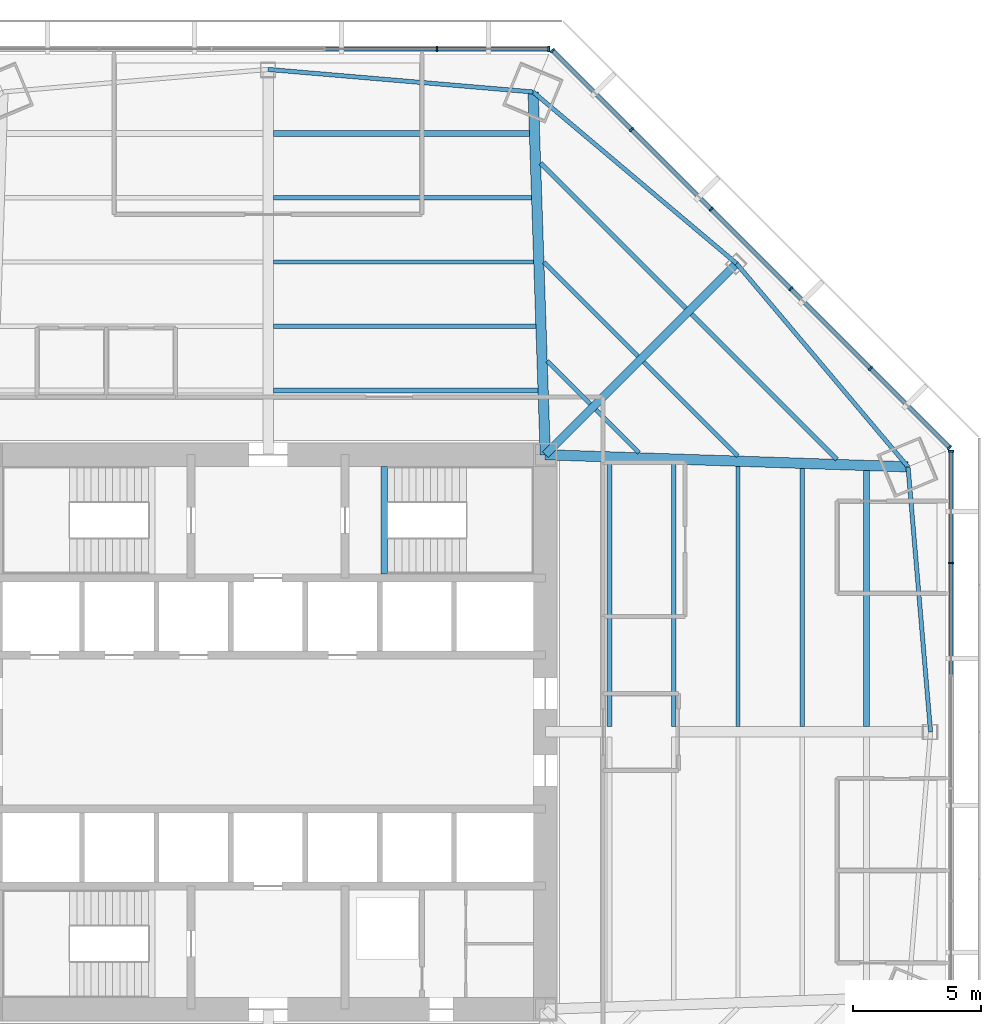
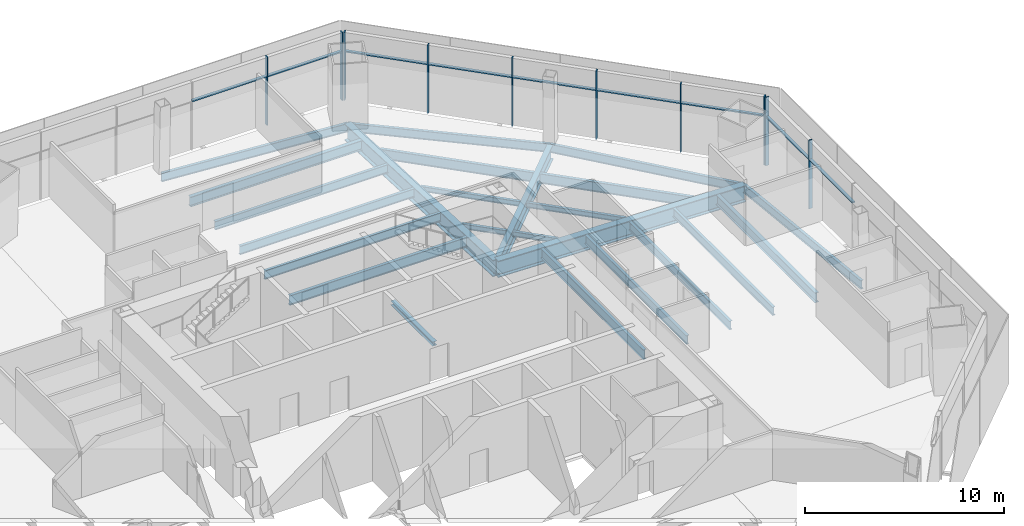
# One storey, part 5 of 13: 24 beams, 19 members, 3 elements without a shape of their own.
"""IFC4 building model written with IfcOpenShell, lengths in metres."""

from ifc_helpers import new_model, si_unit, direction, frame, origin, origin_2d, place, context, subcontext, project, spatial, rectangle, i_section, extrude, source, transform, mapped, material, material_profile, profile_set, type_object, type_shapes, element, aggregate, save


model = new_model("IFC4")

# Units and contexts
model_context = context("Model", 3, precision=1e-05, world=origin(), true_north=direction((0.0, 1.0)))
body_context = subcontext(model_context, "Body", "Model", "MODEL_VIEW")
ifc_project = project(units=[si_unit("LENGTHUNIT", "METRE"), si_unit("AREAUNIT", "SQUARE_METRE"), si_unit("VOLUMEUNIT", "CUBIC_METRE"), si_unit("PLANEANGLEUNIT", "RADIAN"), si_unit("MASSUNIT", "GRAM", prefix="KILO")], contexts=[model_context])

# Site, building, storey
site_placement = place(None, origin())
site = spatial("IfcSite", under=ifc_project, at=site_placement, CompositionType="ELEMENT")
building_placement = place(site_placement, origin())
building = spatial("IfcBuilding", under=site, at=building_placement, Name="Mashrafa Tower", CompositionType="ELEMENT")
storey_placement = place(building_placement, frame((0.0, 0.0, 49.800048828125)))
storey = spatial("IfcBuildingStorey", under=building, at=storey_placement, Name="L10", CompositionType="ELEMENT", Elevation=49.800048828125)

# Beams
ifc_material_1 = material(Name="Steel ASTM A992", Category="steel")
ifc_material_profile_1 = material_profile(ifc_material_1, i_section(OverallWidth=0.164794921875, OverallDepth=0.309814453125, WebThickness=0.005859375, FlangeThickness=0.009765625, FilletRadius=0.007568359375, at=origin_2d()), Name="W12X26")
ifc_profile_set_1 = profile_set([ifc_material_profile_1], Name="Steel ASTM A992")
beam_type_1 = type_object("IfcBeamType", Name="Beam W12X26", PredefinedType="BEAM", material=ifc_profile_set_1)
beam_1_placement = place(storey_placement, frame((10.75, 18.301025390625, -0.320068359375), z_axis=(0.707106781187, -0.707106781187, 0.0), x_axis=(0.707106781187, 0.707106781187, 0.0)))
element("IfcBeam", 1, at=beam_1_placement, inside=storey, type_object=beam_type_1, Name="Floor beam L10 041", PredefinedType="BEAM", context=body_context, shape_type="SweptSolid", body=[
    extrude(i_section(OverallWidth=0.164794921875, OverallDepth=0.309814453125, WebThickness=0.005859375, FlangeThickness=0.009765625, FilletRadius=0.007568359375, at=origin_2d()), origin(), (0.0, 0.0, 1.0), 5.185546875),
])
for number, where, z_axis, x_axis, name in (
    (2, (10.87890625, 14.44677734375, -0.320068359375), (0.707055252181, -0.707158306437, 0.0), (0.707158306437, 0.707055252181, 0.0), "Floor beam L10 044"),
    (3, (12.771484375, 12.553955078125, -0.320068359375), (0.707158306437, -0.707055252181, 0.0), (0.707055252181, 0.707158306437, 0.0), "Floor beam L10 047"),
):
    element("IfcBeam", number, at=place(storey_placement, frame(where, z_axis=z_axis, x_axis=x_axis)), inside=storey, type_object=beam_type_1, Name=name, PredefinedType="BEAM", context=body_context, shape_type="SweptSolid", body=[
        extrude(i_section(OverallWidth=0.164794921875, OverallDepth=0.309814453125, WebThickness=0.005859375, FlangeThickness=0.009765625, FilletRadius=0.007568359375, at=origin_2d()), origin(), (0.0, 0.0, 1.0), 2.369140625),
    ])
beam_2_placement = place(storey_placement, frame((14.63427734375, 14.416748046875, -0.320068359375), z_axis=(0.707106781187, -0.707106781187, 0.0), x_axis=(0.707106781187, 0.707106781187, 0.0)))
element("IfcBeam", 4, at=beam_2_placement, inside=storey, type_object=beam_type_1, Name="Floor beam L10 051", PredefinedType="BEAM", context=body_context, shape_type="SweptSolid", body=[
    extrude(i_section(OverallWidth=0.164794921875, OverallDepth=0.309814453125, WebThickness=0.005859375, FlangeThickness=0.009765625, FilletRadius=0.007568359375, at=origin_2d()), origin(), (0.0, 0.0, 1.0), 5.185546875),
])
ifc_material_2 = material(Name="Steel ASTM A992", Category="steel")
ifc_material_profile_2 = material_profile(ifc_material_2, i_section(OverallWidth=0.1650390625, OverallDepth=0.52587890625, WebThickness=0.0087890625, FlangeThickness=0.011474609375, FilletRadius=0.0126953125, at=origin_2d()), Name="W21X44")
ifc_profile_set_2 = profile_set([ifc_material_profile_2], Name="Steel ASTM A992")
beam_type_2 = type_object("IfcBeamType", Name="Beam W21X44", PredefinedType="BEAM", material=ifc_profile_set_2)
beam_3_placement = place(storey_placement, frame((0.20458984375, 18.305419921875, -0.427978515625), z_axis=(1.0, 0.0, 0.0), x_axis=(0.0, 1.0, 0.0)))
element("IfcBeam", 5, at=beam_3_placement, inside=storey, type_object=beam_type_2, Name="Floor beam L10 035", PredefinedType="BEAM", context=body_context, shape_type="SweptSolid", body=[
    extrude(i_section(OverallWidth=0.1650390625, OverallDepth=0.52587890625, WebThickness=0.0087890625, FlangeThickness=0.011474609375, FilletRadius=0.0126953125, at=origin_2d()), origin(), (0.0, 0.0, 1.0), 10.1435546875),
])
beam_4_placement = place(storey_placement, frame((0.20458984375, 20.80712890625, -0.427978515625), z_axis=(1.0, 0.0, 0.0), x_axis=(0.0, 1.0, 0.0)))
element("IfcBeam", 6, at=beam_4_placement, inside=storey, type_object=beam_type_2, Name="Floor beam L10 036", PredefinedType="BEAM", context=body_context, shape_type="SweptSolid", body=[
    extrude(i_section(OverallWidth=0.1650390625, OverallDepth=0.52587890625, WebThickness=0.0087890625, FlangeThickness=0.011474609375, FilletRadius=0.0126953125, at=origin_2d()), origin(), (0.0, 0.0, 1.0), 10.059814453125),
])
beam_5_placement = place(storey_placement, frame((18.305419921875, 10.34814453125, -0.427978515625), z_axis=(0.0, -1.0, 0.0), x_axis=(1.0, 0.0, 0.0)))
element("IfcBeam", 7, at=beam_5_placement, inside=storey, type_object=beam_type_2, Name="Floor beam L10 058", PredefinedType="BEAM", context=body_context, shape_type="SweptSolid", body=[
    extrude(i_section(OverallWidth=0.1650390625, OverallDepth=0.52587890625, WebThickness=0.0087890625, FlangeThickness=0.011474609375, FilletRadius=0.0126953125, at=origin_2d()), origin(), (0.0, 0.0, 1.0), 10.1435546875),
])
beam_6_placement = place(storey_placement, frame((20.80712890625, 10.264404296875, -0.427978515625), z_axis=(0.0, -1.0, 0.0), x_axis=(1.0, 0.0, 0.0)))
element("IfcBeam", 8, at=beam_6_placement, inside=storey, type_object=beam_type_2, Name="Floor beam L10 061", PredefinedType="BEAM", context=body_context, shape_type="SweptSolid", body=[
    extrude(i_section(OverallWidth=0.1650390625, OverallDepth=0.52587890625, WebThickness=0.0087890625, FlangeThickness=0.011474609375, FilletRadius=0.0126953125, at=origin_2d()), origin(), (0.0, 0.0, 1.0), 10.059814453125),
])
ifc_material_3 = material(Name="Steel ASTM A992", Category="steel")
ifc_material_profile_3 = material_profile(ifc_material_3, i_section(OverallWidth=0.165771484375, OverallDepth=0.5283203125, WebThickness=0.009765625, FlangeThickness=0.013671875, FilletRadius=0.012939453125, at=origin_2d()), Name="W21X50")
ifc_profile_set_3 = profile_set([ifc_material_profile_3], Name="Steel ASTM A992")
beam_type_3 = type_object("IfcBeamType", Name="Beam W21X50", PredefinedType="BEAM", material=ifc_profile_set_3)
for number, where, z_axis, x_axis, name in (
    (9, (0.20458984375, 15.803466796875, -0.42919921875), (1.0, 0.0, 0.0), (0.0, 1.0, 0.0), "Floor beam L10 034"),
    (10, (15.803466796875, 10.431884765625, -0.42919921875), (0.0, -1.0, 0.0), (1.0, 0.0, 0.0), "Floor beam L10 054"),
):
    element("IfcBeam", number, at=place(storey_placement, frame(where, z_axis=z_axis, x_axis=x_axis)), inside=storey, type_object=beam_type_3, Name=name, PredefinedType="BEAM", context=body_context, shape_type="SweptSolid", body=[
        extrude(i_section(OverallWidth=0.165771484375, OverallDepth=0.5283203125, WebThickness=0.009765625, FlangeThickness=0.013671875, FilletRadius=0.012939453125, at=origin_2d()), origin(), (0.0, 0.0, 1.0), 10.227294921875),
    ])
beam_7_placement = place(storey_placement, frame((10.327392578125, 24.932373046875, -0.42919921875), z_axis=(-0.996404144799, 0.08472768277, 0.0), x_axis=(-0.08472768277, -0.996404144799, 0.0)))
element("IfcBeam", 11, at=beam_7_placement, inside=storey, type_object=beam_type_3, Name="Spandrel beam L10 091", PredefinedType="BEAM", context=body_context, shape_type="SweptSolid", body=[
    extrude(i_section(OverallWidth=0.165771484375, OverallDepth=0.5283203125, WebThickness=0.009765625, FlangeThickness=0.013671875, FilletRadius=0.012939453125, at=origin_2d()), origin(), (0.0, 0.0, 1.0), 10.36474609375),
])
for number, where, z_axis, x_axis, name in (
    (12, (18.2509765625, 18.2509765625, -0.42919921875), (-0.764487724476, 0.644638285495, 0.0), (-0.644638285495, -0.764487724476, 0.0), "Spandrel beam L10 093"),
    (13, (24.932373046875, 10.327392578125, -0.42919921875), (-0.644638285495, 0.764487724476, 0.0), (-0.764487724476, -0.644638285495, 0.0), "Spandrel beam L10 095"),
):
    element("IfcBeam", number, at=place(storey_placement, frame(where, z_axis=z_axis, x_axis=x_axis)), inside=storey, type_object=beam_type_3, Name=name, PredefinedType="BEAM", context=body_context, shape_type="SweptSolid", body=[
        extrude(i_section(OverallWidth=0.165771484375, OverallDepth=0.5283203125, WebThickness=0.009765625, FlangeThickness=0.013671875, FilletRadius=0.012939453125, at=origin_2d()), origin(), (0.0, 0.0, 1.0), 10.364501953125),
    ])
beam_8_placement = place(storey_placement, frame((25.810546875, 0.0, -0.42919921875), z_axis=(-0.08472768277, 0.996404144799, 0.0), x_axis=(-0.996404144799, -0.08472768277, 0.0)))
element("IfcBeam", 14, at=beam_8_placement, inside=storey, type_object=beam_type_3, Name="Spandrel beam L10 096", PredefinedType="BEAM", context=body_context, shape_type="SweptSolid", body=[
    extrude(i_section(OverallWidth=0.165771484375, OverallDepth=0.5283203125, WebThickness=0.009765625, FlangeThickness=0.013671875, FilletRadius=0.012939453125, at=origin_2d()), origin(), (0.0, 0.0, 1.0), 10.36474609375),
])
ifc_material_4 = material(Name="Steel ASTM A992", Category="steel")
ifc_material_profile_4 = material_profile(ifc_material_4, i_section(OverallWidth=0.177978515625, OverallDepth=0.599365234375, WebThickness=0.010009765625, FlangeThickness=0.012939453125, FilletRadius=0.012939453125, at=origin_2d()), Name="W24X55")
ifc_profile_set_4 = profile_set([ifc_material_profile_4], Name="Steel ASTM A992")
beam_type_4 = type_object("IfcBeamType", Name="Beam W24X55", PredefinedType="BEAM", material=ifc_profile_set_4)
beam_9_placement = place(storey_placement, frame((0.20458984375, 13.3017578125, -0.46484375), z_axis=(1.0, 0.0, 0.0), x_axis=(0.0, 1.0, 0.0)))
element("IfcBeam", 15, at=beam_9_placement, inside=storey, type_object=beam_type_4, Name="Floor beam L10 033", PredefinedType="BEAM", context=body_context, shape_type="SweptSolid", body=[
    extrude(i_section(OverallWidth=0.177978515625, OverallDepth=0.599365234375, WebThickness=0.010009765625, FlangeThickness=0.012939453125, FilletRadius=0.012939453125, at=origin_2d()), origin(), (0.0, 0.0, 1.0), 10.310791015625),
])
beam_10_placement = place(storey_placement, frame((10.620849609375, 22.155517578125, -0.46484375), z_axis=(0.707106781187, -0.707106781187, 0.0), x_axis=(0.707106781187, 0.707106781187, 0.0)))
element("IfcBeam", 16, at=beam_10_placement, inside=storey, type_object=beam_type_4, Name="Floor beam L10 039", PredefinedType="BEAM", context=body_context, shape_type="SweptSolid", body=[
    extrude(i_section(OverallWidth=0.177978515625, OverallDepth=0.599365234375, WebThickness=0.010009765625, FlangeThickness=0.012939453125, FilletRadius=0.012939453125, at=origin_2d()), origin(), (0.0, 0.0, 1.0), 8.002685546875),
])
beam_11_placement = place(storey_placement, frame((13.3017578125, 10.515380859375, -0.46484375), z_axis=(0.0, -1.0, 0.0), x_axis=(1.0, 0.0, 0.0)))
element("IfcBeam", 17, at=beam_11_placement, inside=storey, type_object=beam_type_4, Name="Floor beam L10 049", PredefinedType="BEAM", context=body_context, shape_type="SweptSolid", body=[
    extrude(i_section(OverallWidth=0.177978515625, OverallDepth=0.599365234375, WebThickness=0.010009765625, FlangeThickness=0.012939453125, FilletRadius=0.012939453125, at=origin_2d()), origin(), (0.0, 0.0, 1.0), 10.310791015625),
])
beam_12_placement = place(storey_placement, frame((16.496826171875, 16.279541015625, -0.46484375), z_axis=(0.707106781187, -0.707106781187, 0.0), x_axis=(0.707106781187, 0.707106781187, 0.0)))
element("IfcBeam", 18, at=beam_12_placement, inside=storey, type_object=beam_type_4, Name="Floor beam L10 056", PredefinedType="BEAM", context=body_context, shape_type="SweptSolid", body=[
    extrude(i_section(OverallWidth=0.177978515625, OverallDepth=0.599365234375, WebThickness=0.010009765625, FlangeThickness=0.012939453125, FilletRadius=0.012939453125, at=origin_2d()), origin(), (0.0, 0.0, 1.0), 8.002685546875),
])
ifc_material_5 = material(Name="Steel ASTM A992", Category="steel")
ifc_material_profile_5 = material_profile(ifc_material_5, i_section(OverallWidth=0.227783203125, OverallDepth=0.60205078125, WebThickness=0.010498046875, FlangeThickness=0.014892578125, FilletRadius=0.012939453125, at=origin_2d()), Name="W24X68")
ifc_profile_set_5 = profile_set([ifc_material_profile_5], Name="Steel ASTM A992")
beam_type_5 = type_object("IfcBeamType", Name="Beam W24X68", PredefinedType="BEAM", material=ifc_profile_set_5)
for number, where, z_axis, x_axis, name in (
    (19, (0.20458984375, 23.308837890625, -0.466064453125), (1.0, 0.0, 0.0), (0.0, 1.0, 0.0), "Floor beam L10 037"),
    (20, (23.308837890625, 10.180908203125, -0.466064453125), (0.0, -1.0, 0.0), (1.0, 0.0, 0.0), "Floor beam L10 064"),
):
    element("IfcBeam", number, at=place(storey_placement, frame(where, z_axis=z_axis, x_axis=x_axis)), inside=storey, type_object=beam_type_5, Name=name, PredefinedType="BEAM", context=body_context, shape_type="SweptSolid", body=[
        extrude(i_section(OverallWidth=0.227783203125, OverallDepth=0.60205078125, WebThickness=0.010498046875, FlangeThickness=0.014892578125, FilletRadius=0.012939453125, at=origin_2d()), origin(), (0.0, 0.0, 1.0), 9.976318359375),
    ])
ifc_material_6 = material(Name="Steel ASTM A992", Category="steel")
ifc_material_profile_6 = material_profile(ifc_material_6, i_section(OverallWidth=0.307373046875, OverallDepth=0.927001953125, WebThickness=0.01953125, FlangeThickness=0.031982421875, FilletRadius=0.01904296875, at=origin_2d()), Name="W36X194")
ifc_profile_set_6 = profile_set([ifc_material_profile_6], Name="Steel ASTM A992")
beam_type_6 = type_object("IfcBeamType", Name="Beam W36X194", PredefinedType="BEAM", material=ifc_profile_set_6)
beam_13_placement = place(storey_placement, frame((10.800048828125, 10.800048828125, -0.628662109375), z_axis=(0.707106781187, 0.707106781187, 0.0), x_axis=(-0.707106781187, 0.707106781187, 0.0)))
element("IfcBeam", 21, at=beam_13_placement, inside=storey, type_object=beam_type_6, Name="Radial girder L10 079", PredefinedType="BEAM", context=body_context, shape_type="SweptSolid", body=[
    extrude(i_section(OverallWidth=0.307373046875, OverallDepth=0.927001953125, WebThickness=0.01953125, FlangeThickness=0.031982421875, FilletRadius=0.01904296875, at=origin_2d()), origin(), (0.0, 0.0, 1.0), 10.537109375),
])
ifc_material_7 = material(Name="Steel ASTM A992", Category="steel")
ifc_material_profile_7 = material_profile(ifc_material_7, i_section(OverallWidth=0.4013671875, OverallDepth=1.010986328125, WebThickness=0.023681640625, FlangeThickness=0.0419921875, FilletRadius=0.02001953125, at=origin_2d()), Name="W40X297")
ifc_profile_set_7 = profile_set([ifc_material_profile_7], Name="Steel ASTM A992")
beam_type_7 = type_object("IfcBeamType", Name="Beam W40X297", PredefinedType="BEAM", material=ifc_profile_set_7)
for number, where, z_axis, x_axis, name in (
    (22, (10.800048828125, 10.800048828125, -0.67041015625), (-0.033426357507, 0.999441183174, 0.0), (-0.999441183174, -0.033426357507, 0.0), "Radial girder L10 078"),
    (23, (10.800048828125, 10.800048828125, -0.67041015625), (0.999441183174, -0.033426357507, 0.0), (0.033426357507, 0.999441183174, 0.0), "Radial girder L10 080"),
):
    element("IfcBeam", number, at=place(storey_placement, frame(where, z_axis=z_axis, x_axis=x_axis)), inside=storey, type_object=beam_type_7, Name=name, PredefinedType="BEAM", context=body_context, shape_type="SweptSolid", body=[
        extrude(i_section(OverallWidth=0.4013671875, OverallDepth=1.010986328125, WebThickness=0.023681640625, FlangeThickness=0.0419921875, FilletRadius=0.02001953125, at=origin_2d()), origin(), (0.0, 0.0, 1.0), 14.14013671875),
    ])
ifc_material_8 = material(Name="Steel ASTM A992", Category="steel")
ifc_material_profile_8 = material_profile(ifc_material_8, i_section(OverallWidth=0.25390625, OverallDepth=0.25390625, WebThickness=0.008544921875, FlangeThickness=0.01416015625, FilletRadius=0.010009765625, at=origin_2d()), Name="W10X49")
ifc_profile_set_8 = profile_set([ifc_material_profile_8], Name="Steel ASTM A992")
beam_type_8 = type_object("IfcBeamType", Name="Hoistway beam W10X49", PredefinedType="BEAM", material=ifc_profile_set_8)
beam_14_placement = place(storey_placement, frame((4.530029296875, 6.14990234375, -0.3271484375), z_axis=(0.0, 1.0, 0.0), x_axis=(-1.0, 0.0, 0.0)))
element("IfcBeam", 24, at=beam_14_placement, inside=storey, type_object=beam_type_8, Name="Stair S2 landing beam L10", PredefinedType="BEAM", context=body_context, shape_type="SweptSolid", body=[
    extrude(i_section(OverallWidth=0.25390625, OverallDepth=0.25390625, WebThickness=0.008544921875, FlangeThickness=0.01416015625, FilletRadius=0.010009765625, at=origin_2d()), origin(), (0.0, 0.0, 1.0), 4.2001953125),
])

# Curtain wall, members
ifc_material_9 = material(Name="Unitised aluminium curtain wall", Category="aluminium")
curtain_wall_type = type_object("IfcCurtainWallType", Name="Office curtain wall, zone 1 CW-A 200 deep", PredefinedType="NOTDEFINED", material=ifc_material_9)
curtain_wall_1_placement = place(storey_placement, origin())
curtain_wall_1 = element("IfcCurtainWall", 25, at=curtain_wall_1_placement, inside=storey, type_object=curtain_wall_type, Name="Office curtain wall, zone 1 L10 east", PredefinedType="NOTDEFINED")
ifc_material_10 = material(Name="Extruded aluminium mullion", Category="aluminium")
ifc_material_profile_9 = material_profile(ifc_material_10, rectangle(XDim=0.199951171875, YDim=0.06494140625, at=origin_2d()), Name="Mullion 65x200")
ifc_profile_set_9 = profile_set([ifc_material_profile_9], Name="Extruded aluminium mullion")
member_type_1 = type_object("IfcMemberType", Name="Mullion CW-A 65 x 200", PredefinedType="MULLION", material=ifc_profile_set_9)
shared_shape_1 = source(origin(), body_context, "Body", "SweptSolid", [
    extrude(rectangle(XDim=0.199951171875, YDim=0.06494140625, at=origin_2d()), origin(), (0.0, 0.0, 1.0), 4.199951171875),
])
type_shapes(member_type_1, [shared_shape_1])
member_1_placement = place(storey_placement, frame((26.60595703125, 6.58154296875, 0.0), z_axis=(0.0, 0.0, 1.0), x_axis=(-1.0, 0.0, 0.0)))
member_1 = element("IfcMember", 26, at=member_1_placement, type_object=member_type_1, Name="CW-A mullion 5", PredefinedType="MULLION", context=body_context, shape_type="MappedRepresentation", body=[
    mapped(shared_shape_1, transform((0.0, 0.0, 0.0))),
])
member_2_placement = place(storey_placement, frame((26.60595703125, 10.9365234375, 0.0), z_axis=(0.0, 0.0, 1.0), x_axis=(-1.0, 0.0, 0.0)))
member_2 = element("IfcMember", 27, at=member_2_placement, type_object=member_type_1, Name="CW-A mullion 6", PredefinedType="MULLION", context=body_context, shape_type="MappedRepresentation", body=[
    mapped(shared_shape_1, transform((0.0, 0.0, 0.0))),
])

curtain_wall_2_placement = place(storey_placement, origin())
curtain_wall_2 = element("IfcCurtainWall", 28, at=curtain_wall_2_placement, inside=storey, type_object=curtain_wall_type, Name="Office curtain wall, zone 1 L10 north-east", PredefinedType="NOTDEFINED")
member_3_placement = place(storey_placement, frame((26.546630859375, 11.079833984375, 0.0), z_axis=(0.0, 0.0, 1.0), x_axis=(-0.707106781187, -0.707106781187, 0.0)))
member_3 = element("IfcMember", 29, at=member_3_placement, type_object=member_type_1, Name="CW-A mullion 1", PredefinedType="MULLION", context=body_context, shape_type="MappedRepresentation", body=[
    mapped(shared_shape_1, transform((0.0, 0.0, 0.0))),
])
member_4_placement = place(storey_placement, frame((23.467041015625, 14.159423828125, 0.0), z_axis=(0.0, 0.0, 1.0), x_axis=(-0.707106781187, -0.707106781187, 0.0)))
member_4 = element("IfcMember", 30, at=member_4_placement, type_object=member_type_1, Name="CW-A mullion 2", PredefinedType="MULLION", context=body_context, shape_type="MappedRepresentation", body=[
    mapped(shared_shape_1, transform((0.0, 0.0, 0.0))),
])
member_5_placement = place(storey_placement, frame((20.364501953125, 17.261962890625, 0.0), z_axis=(0.0, 0.0, 1.0), x_axis=(-0.707106781187, -0.707106781187, 0.0)))
member_5 = element("IfcMember", 31, at=member_5_placement, type_object=member_type_1, Name="CW-A mullion 3", PredefinedType="MULLION", context=body_context, shape_type="MappedRepresentation", body=[
    mapped(shared_shape_1, transform((0.0, 0.0, 0.0))),
])
member_6_placement = place(storey_placement, frame((17.261962890625, 20.364501953125, 0.0), z_axis=(0.0, 0.0, 1.0), x_axis=(-0.707106781187, -0.707106781187, 0.0)))
member_6 = element("IfcMember", 32, at=member_6_placement, type_object=member_type_1, Name="CW-A mullion 4", PredefinedType="MULLION", context=body_context, shape_type="MappedRepresentation", body=[
    mapped(shared_shape_1, transform((0.0, 0.0, 0.0))),
])
member_7_placement = place(storey_placement, frame((14.159423828125, 23.467041015625, 0.0), z_axis=(0.0, 0.0, 1.0), x_axis=(-0.707106781187, -0.707106781187, 0.0)))
member_7 = element("IfcMember", 33, at=member_7_placement, type_object=member_type_1, Name="CW-A mullion 5", PredefinedType="MULLION", context=body_context, shape_type="MappedRepresentation", body=[
    mapped(shared_shape_1, transform((0.0, 0.0, 0.0))),
])
member_8_placement = place(storey_placement, frame((11.079833984375, 26.546630859375, 0.0), z_axis=(0.0, 0.0, 1.0), x_axis=(-0.707106781187, -0.707106781187, 0.0)))
member_8 = element("IfcMember", 34, at=member_8_placement, type_object=member_type_1, Name="CW-A mullion 6", PredefinedType="MULLION", context=body_context, shape_type="MappedRepresentation", body=[
    mapped(shared_shape_1, transform((0.0, 0.0, 0.0))),
])

curtain_wall_3_placement = place(storey_placement, origin())
curtain_wall_3 = element("IfcCurtainWall", 35, at=curtain_wall_3_placement, inside=storey, type_object=curtain_wall_type, Name="Office curtain wall, zone 1 L10 north", PredefinedType="NOTDEFINED")
member_9_placement = place(storey_placement, frame((10.9365234375, 26.60595703125, 0.0), z_axis=(0.0, 0.0, 1.0), x_axis=(0.0, -1.0, 0.0)))
member_9 = element("IfcMember", 36, at=member_9_placement, type_object=member_type_1, Name="CW-A mullion 1", PredefinedType="MULLION", context=body_context, shape_type="MappedRepresentation", body=[
    mapped(shared_shape_1, transform((0.0, 0.0, 0.0))),
])
member_10_placement = place(storey_placement, frame((6.58154296875, 26.60595703125, 0.0), z_axis=(0.0, 0.0, 1.0), x_axis=(0.0, -1.0, 0.0)))
member_10 = element("IfcMember", 37, at=member_10_placement, type_object=member_type_1, Name="CW-A mullion 2", PredefinedType="MULLION", context=body_context, shape_type="MappedRepresentation", body=[
    mapped(shared_shape_1, transform((0.0, 0.0, 0.0))),
])

# Member
ifc_material_11 = material(Name="Extruded aluminium transom", Category="aluminium")
ifc_material_profile_10 = material_profile(ifc_material_11, rectangle(XDim=0.159912109375, YDim=0.080078125, at=origin_2d()), Name="Transom 80x160")
ifc_profile_set_10 = profile_set([ifc_material_profile_10], Name="Extruded aluminium transom")
member_type_2 = type_object("IfcMemberType", Name="Transom CW-A 80 x 160", PredefinedType="MULLION", material=ifc_profile_set_10)
shared_shape_2 = source(origin(), body_context, "Body", "SweptSolid", [
    extrude(rectangle(XDim=0.159912109375, YDim=0.080078125, at=origin_2d()), origin(), (0.0, 0.0, 1.0), 4.2900390625),
])
member_11_placement = place(storey_placement, frame((26.60595703125, 6.614013671875, 3.0), z_axis=(0.0, 1.0, 0.0), x_axis=(-1.0, 0.0, 0.0)))
member_11 = element("IfcMember", 38, at=member_11_placement, type_object=member_type_2, Name="CW-A transom 5", PredefinedType="MULLION", context=body_context, shape_type="MappedRepresentation", body=[
    mapped(shared_shape_2, transform((0.0, 0.0, 0.0))),
])

member_12_placement = place(storey_placement, frame((10.904052734375, 26.60595703125, 3.0), z_axis=(-1.0, 0.0, 0.0), x_axis=(0.0, -1.0, 0.0)))
member_12 = element("IfcMember", 39, at=member_12_placement, type_object=member_type_2, Name="CW-A transom 1", PredefinedType="MULLION", context=body_context, shape_type="MappedRepresentation", body=[
    mapped(shared_shape_2, transform((0.0, 0.0, 0.0))),
])

shared_shape_3 = source(origin(), body_context, "Body", "SweptSolid", [
    extrude(rectangle(XDim=0.159912109375, YDim=0.080078125, at=origin_2d()), origin(), (0.0, 0.0, 1.0), 4.32275390625),
])
member_13_placement = place(storey_placement, frame((26.60595703125, 2.226318359375, 3.0), z_axis=(0.0, 1.0, 0.0), x_axis=(-1.0, 0.0, 0.0)))
member_13 = element("IfcMember", 40, at=member_13_placement, type_object=member_type_2, Name="CW-A transom 4", PredefinedType="MULLION", context=body_context, shape_type="MappedRepresentation", body=[
    mapped(shared_shape_3, transform((0.0, 0.0, 0.0))),
])

aggregate(curtain_wall_1, [member_1, member_2, member_13, member_11])

member_14_placement = place(storey_placement, frame((23.444091796875, 14.182373046875, 3.0), z_axis=(-0.707106781187, 0.707106781187, 0.0), x_axis=(-0.707106781187, -0.707106781187, 0.0)))
member_14 = element("IfcMember", 41, at=member_14_placement, type_object=member_type_2, Name="CW-A transom 2", PredefinedType="MULLION", context=body_context, shape_type="MappedRepresentation", body=[
    mapped(shared_shape_3, transform((0.0, 0.0, 0.0))),
])

member_15_placement = place(storey_placement, frame((20.341552734375, 17.284912109375, 3.0), z_axis=(-0.707106781187, 0.707106781187, 0.0), x_axis=(-0.707106781187, -0.707106781187, 0.0)))
member_15 = element("IfcMember", 42, at=member_15_placement, type_object=member_type_2, Name="CW-A transom 3", PredefinedType="MULLION", context=body_context, shape_type="MappedRepresentation", body=[
    mapped(shared_shape_3, transform((0.0, 0.0, 0.0))),
])

member_16_placement = place(storey_placement, frame((17.239013671875, 20.387451171875, 3.0), z_axis=(-0.707106781187, 0.707106781187, 0.0), x_axis=(-0.707106781187, -0.707106781187, 0.0)))
member_16 = element("IfcMember", 43, at=member_16_placement, type_object=member_type_2, Name="CW-A transom 4", PredefinedType="MULLION", context=body_context, shape_type="MappedRepresentation", body=[
    mapped(shared_shape_3, transform((0.0, 0.0, 0.0))),
])

member_17_placement = place(storey_placement, frame((6.549072265625, 26.60595703125, 3.0), z_axis=(-1.0, 0.0, 0.0), x_axis=(0.0, -1.0, 0.0)))
member_17 = element("IfcMember", 44, at=member_17_placement, type_object=member_type_2, Name="CW-A transom 2", PredefinedType="MULLION", context=body_context, shape_type="MappedRepresentation", body=[
    mapped(shared_shape_3, transform((0.0, 0.0, 0.0))),
])

aggregate(curtain_wall_3, [member_9, member_10, member_12, member_17])

shared_shape_4 = source(origin(), body_context, "Body", "SweptSolid", [
    extrude(rectangle(XDim=0.159912109375, YDim=0.080078125, at=origin_2d()), origin(), (0.0, 0.0, 1.0), 4.290283203125),
])
type_shapes(member_type_2, [shared_shape_2, shared_shape_3, shared_shape_4])
member_18_placement = place(storey_placement, frame((26.523681640625, 11.102783203125, 3.0), z_axis=(-0.707106781187, 0.707106781187, 0.0), x_axis=(-0.707106781187, -0.707106781187, 0.0)))
member_18 = element("IfcMember", 45, at=member_18_placement, type_object=member_type_2, Name="CW-A transom 1", PredefinedType="MULLION", context=body_context, shape_type="MappedRepresentation", body=[
    mapped(shared_shape_4, transform((0.0, 0.0, 0.0))),
])

member_19_placement = place(storey_placement, frame((14.136474609375, 23.489990234375, 3.0), z_axis=(-0.707106781187, 0.707106781187, 0.0), x_axis=(-0.707106781187, -0.707106781187, 0.0)))
member_19 = element("IfcMember", 46, at=member_19_placement, type_object=member_type_2, Name="CW-A transom 5", PredefinedType="MULLION", context=body_context, shape_type="MappedRepresentation", body=[
    mapped(shared_shape_4, transform((0.0, 0.0, 0.0))),
])

aggregate(curtain_wall_2, [member_3, member_4, member_5, member_6, member_7, member_8, member_18, member_14, member_15, member_16, member_19])

save(model, "model.ifc")
